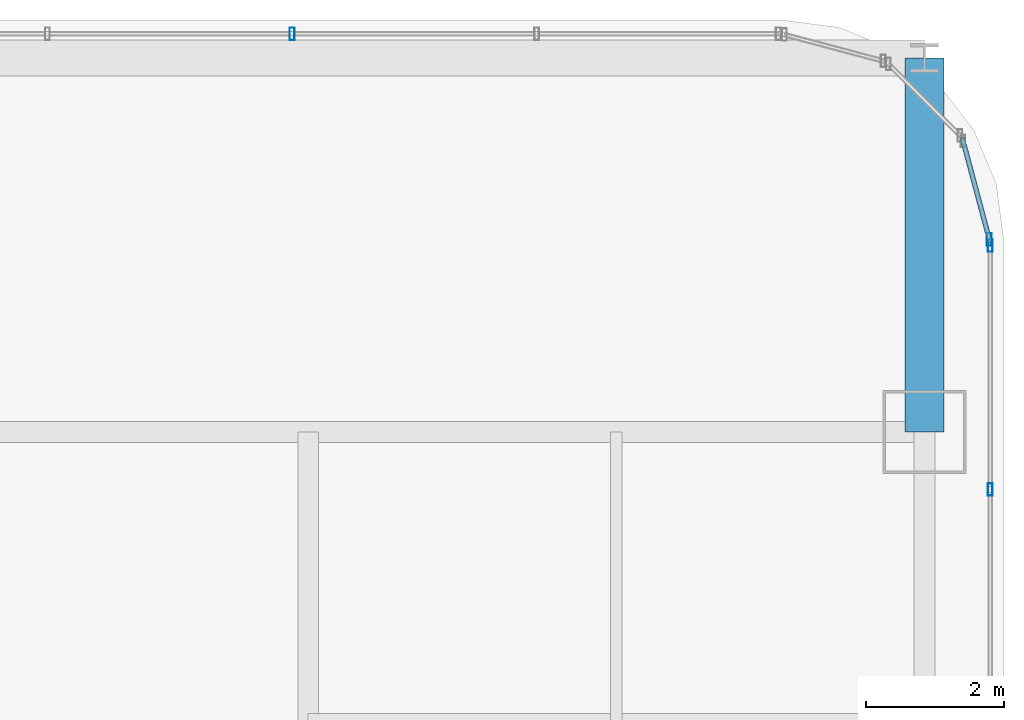
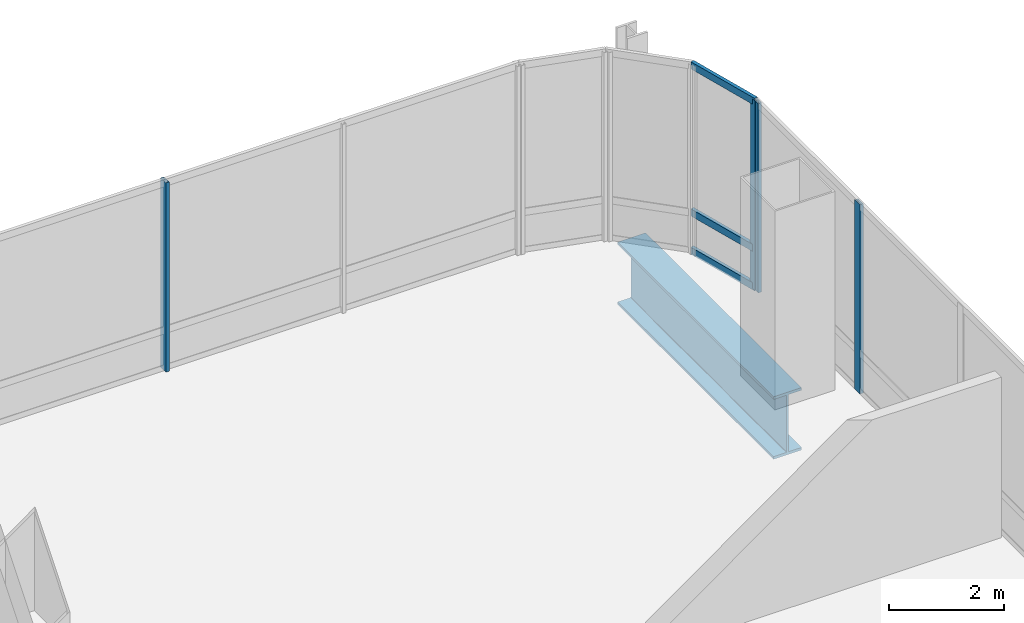
# One storey, part 29 of 41: 7 members, 1 beam, 3 elements without a shape of their own.
"""IFC4 building model written with IfcOpenShell, lengths in metres."""

from ifc_helpers import new_model, si_unit, direction, frame, origin, origin_2d, place, context, subcontext, project, spatial, hollow_rectangle, i_section, extrude, material, material_profile, profile_set, type_object, element, aggregate, save


model = new_model("IFC4")

# Units and contexts
model_context = context("Model", 3, precision=1e-05, world=origin(), true_north=direction((0.0, 1.0)))
body_context = subcontext(model_context, "Body", "Model", "MODEL_VIEW")
ifc_project = project(units=[si_unit("LENGTHUNIT", "METRE"), si_unit("AREAUNIT", "SQUARE_METRE"), si_unit("VOLUMEUNIT", "CUBIC_METRE"), si_unit("PLANEANGLEUNIT", "RADIAN"), si_unit("MASSUNIT", "GRAM", prefix="KILO")], contexts=[model_context])

# Site, building, storey
site_placement = place(None, origin())
site = spatial("IfcSite", under=ifc_project, at=site_placement, CompositionType="ELEMENT")
building_placement = place(site_placement, origin())
building = spatial("IfcBuilding", under=site, at=building_placement, Name="Punatoya Terracotta Tower", CompositionType="ELEMENT")
storey_placement = place(building_placement, frame((0.0, 0.0, 288.0)))
storey = spatial("IfcBuildingStorey", under=building, at=storey_placement, Name="L68", CompositionType="ELEMENT", Elevation=288.0)

# Beam
ifc_material_1 = material(Name="Steel S460", Category="steel")
ifc_material_profile_1 = material_profile(ifc_material_1, i_section(OverallWidth=0.56005859375, OverallDepth=1.320068359375, WebThickness=0.035888671875, FlangeThickness=0.054931640625, FilletRadius=0.01806640625, at=origin_2d()))
ifc_profile_set_1 = profile_set([ifc_material_profile_1], Name="Steel S460")
beam_type = type_object("IfcBeamType", Name="BM-TG-BLK", PredefinedType="BEAM", material=ifc_profile_set_1)
beam_placement = place(storey_placement, frame((19.10009765625, 17.5, -0.860107421875), z_axis=(0.0, 1.0, 0.0), x_axis=(-1.0, 0.0, 0.0)))
element("IfcBeam", 1, at=beam_placement, inside=storey, type_object=beam_type, Name="BM-L68-CANT-N4", PredefinedType="BEAM", context=body_context, shape_type="SweptSolid", body=[
    extrude(i_section(OverallWidth=0.56005859375, OverallDepth=1.320068359375, WebThickness=0.035888671875, FlangeThickness=0.054931640625, FilletRadius=0.01806640625, at=origin_2d()), origin(), (0.0, 0.0, 1.0), 5.39990234375),
])

# Curtain wall, members
ifc_material_2 = material(Name="Aluminium 6063-T6 + Double Low-E Glass", Category="aluminium")
curtain_wall_type = type_object("IfcCurtainWallType", Name="CW-M3", PredefinedType="NOTDEFINED", material=ifc_material_2)
curtain_wall_1_placement = place(storey_placement, origin())
curtain_wall_1 = element("IfcCurtainWall", 2, at=curtain_wall_1_placement, inside=storey, type_object=curtain_wall_type, Name="L68 Curtain Wall CW-L68-E05-1", PredefinedType="NOTDEFINED")
ifc_material_3 = material(Name="Aluminium 6063-T6", Category="aluminium")
ifc_material_profile_2 = material_profile(ifc_material_3, hollow_rectangle(XDim=0.070068359375, YDim=0.179931640625, WallThickness=0.00390625, at=origin_2d()))
ifc_profile_set_2 = profile_set([ifc_material_profile_2], Name="Aluminium 6063-T6")
member_type_1 = type_object("IfcMemberType", Name="CW-MUL-M3", PredefinedType="MULLION", material=ifc_profile_set_2)
member_1_placement = place(storey_placement, frame((20.050048828125, 16.66943359375, 0.0), z_axis=(0.0, 0.0, 1.0), x_axis=(1.0, 0.0, 0.0)))
member_1 = element("IfcMember", 3, at=member_1_placement, type_object=member_type_1, Name="CW-L68-E05-1 Mullion 09", PredefinedType="MULLION", context=body_context, shape_type="SweptSolid", body=[
    extrude(hollow_rectangle(XDim=0.070068359375, YDim=0.179931640625, WallThickness=0.00390625, at=origin_2d()), origin(), (0.0, 0.0, 1.0), 4.0),
])
member_2_placement = place(storey_placement, frame((20.050048828125, 20.19189453125, 0.0), z_axis=(0.0, 0.0, 1.0), x_axis=(1.0, 0.0, 0.0)))
member_2 = element("IfcMember", 4, at=member_2_placement, type_object=member_type_1, Name="CW-L68-E05-1 Mullion 10", PredefinedType="MULLION", context=body_context, shape_type="SweptSolid", body=[
    extrude(hollow_rectangle(XDim=0.070068359375, YDim=0.179931640625, WallThickness=0.00390625, at=origin_2d()), origin(), (0.0, 0.0, 1.0), 4.0),
])
aggregate(curtain_wall_1, [member_1, member_2])

# Curtain wall, member
curtain_wall_2_placement = place(storey_placement, origin())
curtain_wall_2 = element("IfcCurtainWall", 5, at=curtain_wall_2_placement, inside=storey, type_object=curtain_wall_type, Name="L68 Curtain Wall CW-L68-CRN06", PredefinedType="NOTDEFINED")
member_3_placement = place(storey_placement, frame((20.038330078125, 20.280517578125, 0.0), z_axis=(0.0, 0.0, 1.0), x_axis=(1.0, 0.0, 0.0)))
member_3 = element("IfcMember", 6, at=member_3_placement, type_object=member_type_1, Name="CW-L68-CRN06 Mullion 00", PredefinedType="MULLION", context=body_context, shape_type="SweptSolid", body=[
    extrude(hollow_rectangle(XDim=0.070068359375, YDim=0.179931640625, WallThickness=0.00390625, at=origin_2d()), origin(), (0.0, 0.0, 1.0), 4.0),
])

curtain_wall_3_placement = place(storey_placement, origin())
curtain_wall_3 = element("IfcCurtainWall", 7, at=curtain_wall_3_placement, inside=storey, type_object=curtain_wall_type, Name="L68 Curtain Wall CW-L68-N09-1", PredefinedType="NOTDEFINED")
member_4_placement = place(storey_placement, frame((9.968994140625, 23.25, 0.0), z_axis=(0.0, 0.0, 1.0), x_axis=(1.0, 0.0, 0.0)))
member_4 = element("IfcMember", 8, at=member_4_placement, type_object=member_type_1, Name="CW-L68-N09-1 Mullion 02", PredefinedType="MULLION", context=body_context, shape_type="SweptSolid", body=[
    extrude(hollow_rectangle(XDim=0.070068359375, YDim=0.179931640625, WallThickness=0.00390625, at=origin_2d()), origin(), (0.0, 0.0, 1.0), 4.0),
])
aggregate(curtain_wall_3, [member_4])

# Member
ifc_material_profile_3 = material_profile(ifc_material_3, hollow_rectangle(XDim=0.068115234375, YDim=0.14990234375, WallThickness=0.00390625, at=origin_2d()))
ifc_profile_set_3 = profile_set([ifc_material_profile_3], Name="Aluminium 6063-T6")
member_type_2 = type_object("IfcMemberType", Name="CW-TRN-TYP", PredefinedType="USERDEFINED", material=ifc_profile_set_3)
member_5_placement = place(storey_placement, frame((20.050048828125, 20.23681640625, 0.0400390625), z_axis=(-0.257847112249, 0.966185730957, 0.0), x_axis=(-0.966185730957, -0.257847112249, 0.0)))
member_5 = element("IfcMember", 9, at=member_5_placement, type_object=member_type_2, Name="CW-L68-CRN06 Transom 1", ObjectType="TRANSOM", PredefinedType="USERDEFINED", context=body_context, shape_type="SweptSolid", body=[
    extrude(hollow_rectangle(XDim=0.068115234375, YDim=0.14990234375, WallThickness=0.00390625, at=origin_2d()), origin(), (0.0, 0.0, 1.0), 1.565185546875),
])

member_6_placement = place(storey_placement, frame((20.050048828125, 20.23681640625, 0.85009765625), z_axis=(-0.257847112249, 0.966185730957, 0.0), x_axis=(-0.966185730957, -0.257847112249, 0.0)))
member_6 = element("IfcMember", 10, at=member_6_placement, type_object=member_type_2, Name="CW-L68-CRN06 Transom 2", ObjectType="TRANSOM", PredefinedType="USERDEFINED", context=body_context, shape_type="SweptSolid", body=[
    extrude(hollow_rectangle(XDim=0.068115234375, YDim=0.14990234375, WallThickness=0.00390625, at=origin_2d()), origin(), (0.0, 0.0, 1.0), 1.565185546875),
])

member_7_placement = place(storey_placement, frame((20.050048828125, 20.23681640625, 3.9599609375), z_axis=(-0.257847112249, 0.966185730957, 0.0), x_axis=(-0.966185730957, -0.257847112249, 0.0)))
member_7 = element("IfcMember", 11, at=member_7_placement, type_object=member_type_2, Name="CW-L68-CRN06 Transom 3", ObjectType="TRANSOM", PredefinedType="USERDEFINED", context=body_context, shape_type="SweptSolid", body=[
    extrude(hollow_rectangle(XDim=0.068115234375, YDim=0.14990234375, WallThickness=0.00390625, at=origin_2d()), origin(), (0.0, 0.0, 1.0), 1.565185546875),
])

aggregate(curtain_wall_2, [member_3, member_5, member_6, member_7])

save(model, "model.ifc")
